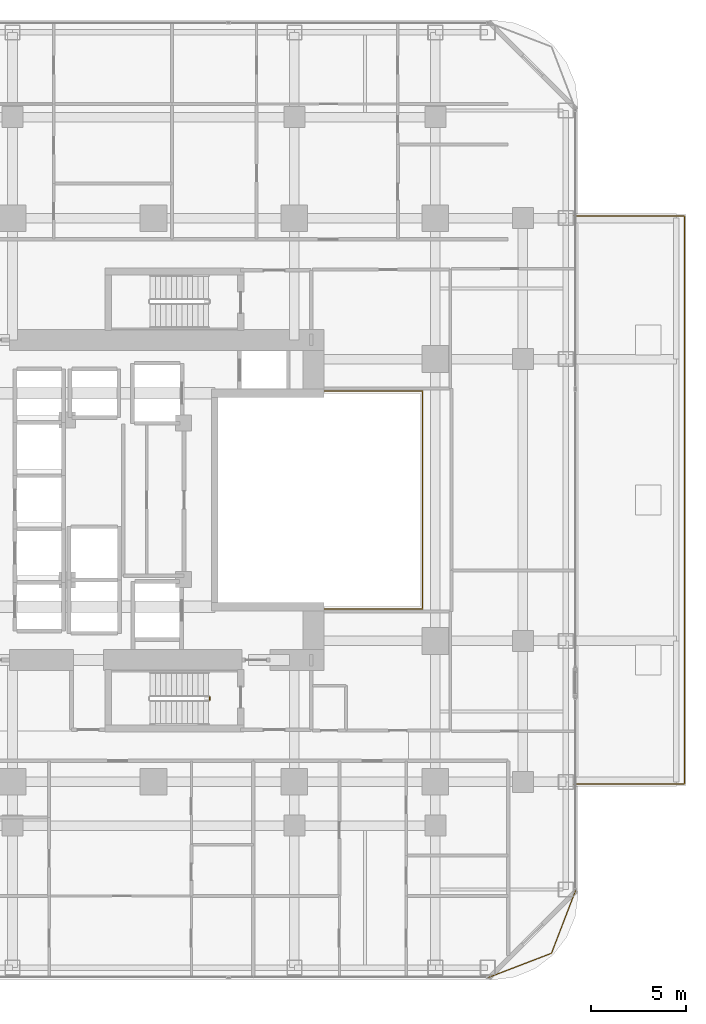
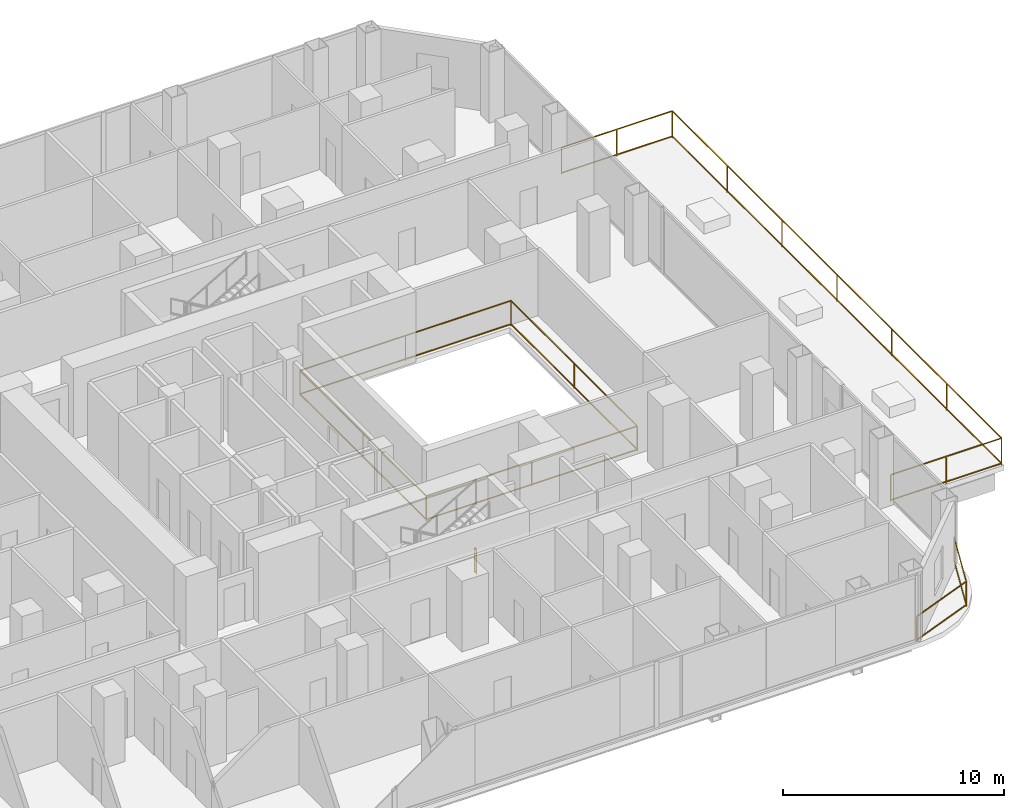
# One storey, part 27 of 29: 4 railings.
"""IFC4 building model written with IfcOpenShell, lengths in metres."""

from ifc_helpers import new_model, si_unit, direction, frame, origin, origin_2d, place, context, subcontext, project, spatial, rectangle, extrude, material, type_object, element, save


model = new_model("IFC4")

# Units and contexts
model_context = context("Model", 3, precision=1e-05, world=origin(), true_north=direction((0.0, 1.0)))
body_context = subcontext(model_context, "Body", "Model", "MODEL_VIEW")
ifc_project = project(units=[si_unit("LENGTHUNIT", "METRE"), si_unit("AREAUNIT", "SQUARE_METRE"), si_unit("VOLUMEUNIT", "CUBIC_METRE"), si_unit("PLANEANGLEUNIT", "RADIAN"), si_unit("MASSUNIT", "GRAM", prefix="KILO")], contexts=[model_context])

# Site, building, storey
site_placement = place(None, origin())
site = spatial("IfcSite", under=ifc_project, at=site_placement, CompositionType="ELEMENT")
building_placement = place(site_placement, origin())
building = spatial("IfcBuilding", under=site, at=building_placement, Name="Khorvyn Point Tower", CompositionType="ELEMENT")
storey_placement = place(building_placement, frame((0.0, 0.0, 54.0)))
storey = spatial("IfcBuildingStorey", under=building, at=storey_placement, Name="L14", CompositionType="ELEMENT", Elevation=54.0)

# Railings
ifc_material_1 = material(Name="Stainless steel 1.4401 and laminated glass", Category="steel")
railing_type_1 = type_object("IfcRailingType", Name="Crystal Atrium Smoke-Rated Perimeter Guardrail 1400", PredefinedType="GUARDRAIL", material=ifc_material_1)
railing_1_placement = place(storey_placement, frame((3.080078125, -5.719970703125, 0.0)))
element("IfcRailing", 1, at=railing_1_placement, inside=storey, type_object=railing_type_1, Name="L14 Crystal Atrium Perimeter Guardrail", PredefinedType="GUARDRAIL", context=body_context, shape_type="SweptSolid", body=[
    extrude(rectangle(XDim=0.048095703125, YDim=0.048095703125, at=origin_2d()), frame((0.0, 0.0, 1.3759765625), z_axis=(1.0, 0.0, 0.0), x_axis=(0.0, 1.0, 0.0)), (0.0, 0.0, 1.0), 11.0400390625),
    extrude(rectangle(XDim=0.048095703125, YDim=0.048095703125, at=origin_2d()), frame((0.0, 0.0, 0.080078125), z_axis=(1.0, 0.0, 0.0), x_axis=(0.0, 1.0, 0.0)), (0.0, 0.0, 1.0), 11.0400390625),
    extrude(rectangle(XDim=0.048095703125, YDim=0.048095703125, at=origin_2d()), frame((11.0400390625, 0.0, 1.3759765625), z_axis=(0.0, 1.0, 0.0), x_axis=(-1.0, 0.0, 0.0)), (0.0, 0.0, 1.0), 11.43994140625),
    extrude(rectangle(XDim=0.048095703125, YDim=0.048095703125, at=origin_2d()), frame((11.0400390625, 0.0, 0.080078125), z_axis=(0.0, 1.0, 0.0), x_axis=(-1.0, 0.0, 0.0)), (0.0, 0.0, 1.0), 11.43994140625),
    extrude(rectangle(XDim=0.048095703125, YDim=0.048095703125, at=origin_2d()), frame((11.0400390625, 11.43994140625, 1.3759765625), z_axis=(-1.0, 0.0, 0.0), x_axis=(0.0, -1.0, 0.0)), (0.0, 0.0, 1.0), 11.0400390625),
    extrude(rectangle(XDim=0.048095703125, YDim=0.048095703125, at=origin_2d()), frame((11.0400390625, 11.43994140625, 0.080078125), z_axis=(-1.0, 0.0, 0.0), x_axis=(0.0, -1.0, 0.0)), (0.0, 0.0, 1.0), 11.0400390625),
    extrude(rectangle(XDim=0.048095703125, YDim=0.048095703125, at=origin_2d()), frame((0.0, 11.43994140625, 1.3759765625), z_axis=(0.0, -1.0, 0.0), x_axis=(1.0, 0.0, 0.0)), (0.0, 0.0, 1.0), 11.409912109375),
    extrude(rectangle(XDim=0.048095703125, YDim=0.048095703125, at=origin_2d()), frame((0.0, 11.43994140625, 0.080078125), z_axis=(0.0, -1.0, 0.0), x_axis=(1.0, 0.0, 0.0)), (0.0, 0.0, 1.0), 11.409912109375),
    extrude(rectangle(XDim=0.0419921875, YDim=0.0419921875, at=origin_2d()), origin(), (0.0, 0.0, 1.0), 1.351806640625),
    extrude(rectangle(XDim=0.0419921875, YDim=0.0419921875, at=origin_2d()), frame((5.52001953125, 0.0, 0.0)), (0.0, 0.0, 1.0), 1.351806640625),
    extrude(rectangle(XDim=0.0419921875, YDim=0.0419921875, at=origin_2d()), frame((11.0400390625, 0.0, 0.0)), (0.0, 0.0, 1.0), 1.351806640625),
    extrude(rectangle(XDim=0.0419921875, YDim=0.0419921875, at=origin_2d()), frame((11.0400390625, 5.719970703125, 0.0)), (0.0, 0.0, 1.0), 1.351806640625),
    extrude(rectangle(XDim=0.0419921875, YDim=0.0419921875, at=origin_2d()), frame((11.0400390625, 11.43994140625, 0.0)), (0.0, 0.0, 1.0), 1.351806640625),
    extrude(rectangle(XDim=0.0419921875, YDim=0.0419921875, at=origin_2d()), frame((5.52001953125, 11.43994140625, 0.0)), (0.0, 0.0, 1.0), 1.351806640625),
    extrude(rectangle(XDim=0.0419921875, YDim=0.0419921875, at=origin_2d()), frame((0.0, 11.43994140625, 0.0)), (0.0, 0.0, 1.0), 1.351806640625),
    extrude(rectangle(XDim=0.0419921875, YDim=0.0419921875, at=origin_2d()), frame((0.0, 5.73486328125, 0.0)), (0.0, 0.0, 1.0), 1.351806640625),
    extrude(rectangle(XDim=0.0419921875, YDim=0.0419921875, at=origin_2d()), frame((0.0, 0.030029296875, 0.0)), (0.0, 0.0, 1.0), 1.351806640625),
])
ifc_material_2 = material(Name="Anodised aluminium 6063-T6 and laminated safety glass", Category="aluminium")
railing_type_2 = type_object("IfcRailingType", Name="Laminated Glass and Aluminium Balcony Guardrail 1400", PredefinedType="BALUSTRADE", material=ifc_material_2)
railing_2_placement = place(storey_placement, frame((17.57080078125, -25.073974609375, 0.0)))
element("IfcRailing", 2, at=railing_2_placement, inside=storey, type_object=railing_type_2, Name="L14 Rounded Corner Edge Guardrail SE", PredefinedType="BALUSTRADE", context=body_context, shape_type="SweptSolid", body=[
    extrude(rectangle(XDim=0.048095703125, YDim=0.048095703125, at=origin_2d()), frame((0.0, 0.0, 1.3759765625), z_axis=(0.933583807283, 0.358359142172, 0.0), x_axis=(-0.358359142172, 0.933583807283, 0.0)), (0.0, 0.0, 1.0), 3.56298828125),
    extrude(rectangle(XDim=0.048095703125, YDim=0.048095703125, at=origin_2d()), frame((0.0, 0.0, 0.080078125), z_axis=(0.933583807283, 0.358359142172, 0.0), x_axis=(-0.358359142172, 0.933583807283, 0.0)), (0.0, 0.0, 1.0), 3.56298828125),
    extrude(rectangle(XDim=0.048095703125, YDim=0.048095703125, at=origin_2d()), frame((3.326416015625, 1.27685546875, 1.3759765625), z_axis=(0.358359142172, 0.933583807283, 0.0), x_axis=(-0.933583807283, 0.358359142172, 0.0)), (0.0, 0.0, 1.0), 3.56298828125),
    extrude(rectangle(XDim=0.048095703125, YDim=0.048095703125, at=origin_2d()), frame((3.326416015625, 1.27685546875, 0.080078125), z_axis=(0.358359142172, 0.933583807283, 0.0), x_axis=(-0.933583807283, 0.358359142172, 0.0)), (0.0, 0.0, 1.0), 3.56298828125),
    extrude(rectangle(XDim=0.0419921875, YDim=0.0419921875, at=origin_2d()), origin(), (0.0, 0.0, 1.0), 1.351806640625),
    extrude(rectangle(XDim=0.0419921875, YDim=0.0419921875, at=origin_2d()), frame((3.326416015625, 1.27685546875, 0.0)), (0.0, 0.0, 1.0), 1.351806640625),
    extrude(rectangle(XDim=0.0419921875, YDim=0.0419921875, at=origin_2d()), frame((4.603271484375, 4.603271484375, 0.0)), (0.0, 0.0, 1.0), 1.351806640625),
])
ifc_material_3 = material(Name="Stainless steel 1.4401", Category="steel")
railing_type_3 = type_object("IfcRailingType", Name="School Terrace Anti-Climb Safety Guardrail 1500", PredefinedType="GUARDRAIL", material=ifc_material_3)
railing_3_placement = place(storey_placement, frame((22.070068359375, -14.919921875, 0.0)))
element("IfcRailing", 3, at=railing_3_placement, inside=storey, type_object=railing_type_3, Name="L14 Setback Terrace Guardrail", PredefinedType="GUARDRAIL", context=body_context, shape_type="SweptSolid", body=[
    extrude(rectangle(XDim=0.048095703125, YDim=0.048095703125, at=origin_2d()), frame((0.0, 0.0, 1.47607421875), z_axis=(1.0, 0.0, 0.0), x_axis=(0.0, 1.0, 0.0)), (0.0, 0.0, 1.0), 5.800048828125),
    extrude(rectangle(XDim=0.048095703125, YDim=0.048095703125, at=origin_2d()), frame((0.0, 0.0, 0.080078125), z_axis=(1.0, 0.0, 0.0), x_axis=(0.0, 1.0, 0.0)), (0.0, 0.0, 1.0), 5.800048828125),
    extrude(rectangle(XDim=0.048095703125, YDim=0.048095703125, at=origin_2d()), frame((5.800048828125, 0.0, 1.47607421875), z_axis=(0.0, 1.0, 0.0), x_axis=(-1.0, 0.0, 0.0)), (0.0, 0.0, 1.0), 29.83984375),
    extrude(rectangle(XDim=0.048095703125, YDim=0.048095703125, at=origin_2d()), frame((5.800048828125, 0.0, 0.080078125), z_axis=(0.0, 1.0, 0.0), x_axis=(-1.0, 0.0, 0.0)), (0.0, 0.0, 1.0), 29.83984375),
    extrude(rectangle(XDim=0.048095703125, YDim=0.048095703125, at=origin_2d()), frame((5.800048828125, 29.83984375, 1.47607421875), z_axis=(-1.0, 0.0, 0.0), x_axis=(0.0, -1.0, 0.0)), (0.0, 0.0, 1.0), 5.800048828125),
    extrude(rectangle(XDim=0.048095703125, YDim=0.048095703125, at=origin_2d()), frame((5.800048828125, 29.83984375, 0.080078125), z_axis=(-1.0, 0.0, 0.0), x_axis=(0.0, -1.0, 0.0)), (0.0, 0.0, 1.0), 5.800048828125),
    extrude(rectangle(XDim=0.0419921875, YDim=0.0419921875, at=origin_2d()), origin(), (0.0, 0.0, 1.0), 1.451904296875),
    extrude(rectangle(XDim=0.0419921875, YDim=0.0419921875, at=origin_2d()), frame((2.89990234375, 0.0, 0.0)), (0.0, 0.0, 1.0), 1.451904296875),
    extrude(rectangle(XDim=0.0419921875, YDim=0.0419921875, at=origin_2d()), frame((5.800048828125, 0.0, 0.0)), (0.0, 0.0, 1.0), 1.451904296875),
    extrude(rectangle(XDim=0.0419921875, YDim=0.0419921875, at=origin_2d()), frame((5.800048828125, 4.973388671875, 0.0)), (0.0, 0.0, 1.0), 1.451904296875),
    extrude(rectangle(XDim=0.0419921875, YDim=0.0419921875, at=origin_2d()), frame((5.800048828125, 9.946533203125, 0.0)), (0.0, 0.0, 1.0), 1.451904296875),
    extrude(rectangle(XDim=0.0419921875, YDim=0.0419921875, at=origin_2d()), frame((5.800048828125, 14.919921875, 0.0)), (0.0, 0.0, 1.0), 1.451904296875),
    extrude(rectangle(XDim=0.0419921875, YDim=0.0419921875, at=origin_2d()), frame((5.800048828125, 19.893310546875, 0.0)), (0.0, 0.0, 1.0), 1.451904296875),
    extrude(rectangle(XDim=0.0419921875, YDim=0.0419921875, at=origin_2d()), frame((5.800048828125, 24.866455078125, 0.0)), (0.0, 0.0, 1.0), 1.451904296875),
    extrude(rectangle(XDim=0.0419921875, YDim=0.0419921875, at=origin_2d()), frame((5.800048828125, 29.83984375, 0.0)), (0.0, 0.0, 1.0), 1.451904296875),
    extrude(rectangle(XDim=0.0419921875, YDim=0.0419921875, at=origin_2d()), frame((2.89990234375, 29.83984375, 0.0)), (0.0, 0.0, 1.0), 1.451904296875),
    extrude(rectangle(XDim=0.0419921875, YDim=0.0419921875, at=origin_2d()), frame((0.0, 29.83984375, 0.0)), (0.0, 0.0, 1.0), 1.451904296875),
])
ifc_material_4 = material(Name="Stainless steel 1.4301", Category="steel")
railing_type_4 = type_object("IfcRailingType", Name="Stainless Steel 304 Stair Well Guardrail 1400", PredefinedType="GUARDRAIL", material=ifc_material_4)
railing_4_placement = place(storey_placement, frame((2.949951171875, -10.340087890625, 0.0)))
element("IfcRailing", 4, at=railing_4_placement, inside=storey, type_object=railing_type_4, Name="L14 ST-01 stair guard 4", PredefinedType="GUARDRAIL", context=body_context, shape_type="SweptSolid", body=[
    extrude(rectangle(XDim=0.048095703125, YDim=0.048095703125, at=origin_2d()), frame((0.0, 0.0, 1.3759765625), z_axis=(0.0, -1.0, 0.0), x_axis=(1.0, 0.0, 0.0)), (0.0, 0.0, 1.0), 0.159912109375),
    extrude(rectangle(XDim=0.048095703125, YDim=0.048095703125, at=origin_2d()), frame((0.0, 0.0, 0.080078125), z_axis=(0.0, -1.0, 0.0), x_axis=(1.0, 0.0, 0.0)), (0.0, 0.0, 1.0), 0.159912109375),
    extrude(rectangle(XDim=0.0419921875, YDim=0.0419921875, at=origin_2d()), origin(), (0.0, 0.0, 1.0), 1.351806640625),
    extrude(rectangle(XDim=0.0419921875, YDim=0.0419921875, at=origin_2d()), frame((0.0, -0.159912109375, 0.0)), (0.0, 0.0, 1.0), 1.351806640625),
])

save(model, "model.ifc")
